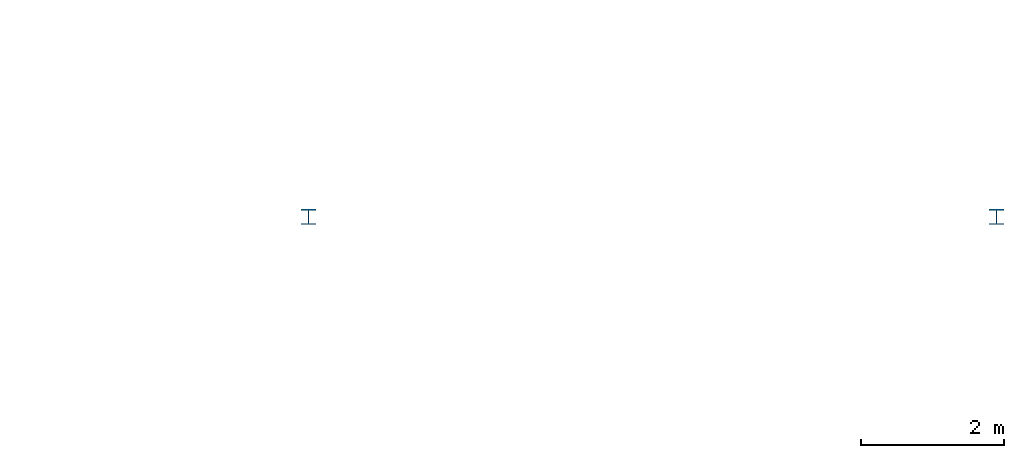
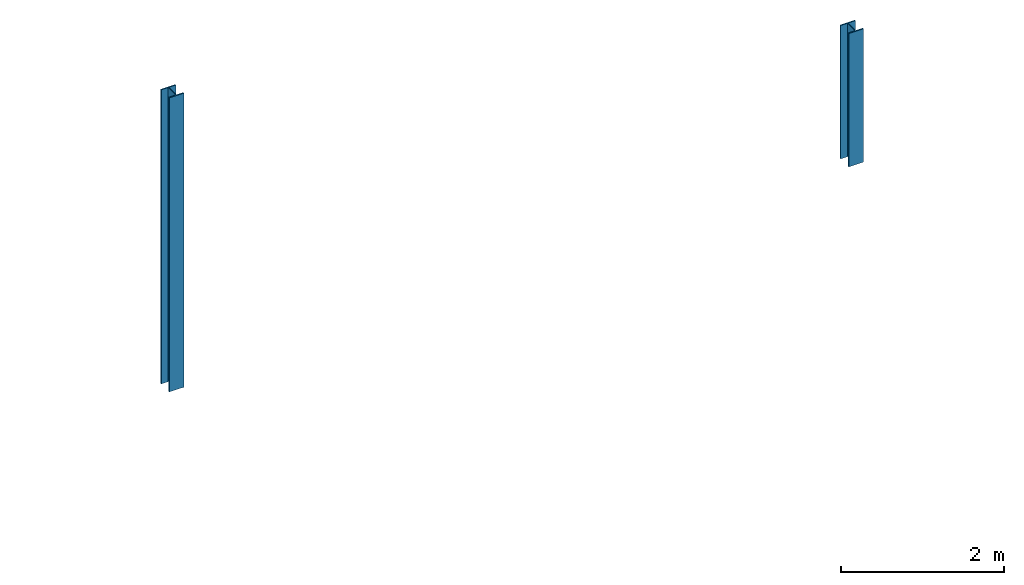
# One storey, part 12 of 59: 2 columns.
"""IFC4 building model written with IfcOpenShell, lengths in metres."""

import ifcopenshell
import ifcopenshell.guid

model = None  # the IFC model being written
_history = None  # IfcOwnerHistory: only IFC2X3 demands one
_inside = {}  # id of a spatial element -> (the spatial element, [elements in it])
_under = {}  # id of a project, library or spatial element -> (it, [spatial elements below it])
_declared = {}  # id of a project -> (the project, [libraries it declares])
_typed = {}  # id of a type object -> (the type object, [elements of that type])
_made_of = {}  # id of a material, layer set ... -> (it, [elements and type objects made of it])


def new_model(schema):
    """Start an empty IFC model of exactly this schema.

    Asked for "IFC4X3", IfcOpenShell would pick the latest addendum, in which some entities
    have other attributes; the version numbers below select the first issue.
    IFC2X3 requires an IfcOwnerHistory on every rooted entity: one is made here for all.
    """
    global model, _history
    if schema == "IFC4X3":
        model = ifcopenshell.file(schema_version=(4, 3, 0, 0))
    else:
        model = ifcopenshell.file(schema=schema)
    _inside.clear()
    _under.clear()
    _declared.clear()
    _typed.clear()
    _made_of.clear()
    _history = None
    if model.schema == "IFC2X3":
        org = make("IfcOrganization", Name="unknown")
        user = make(
            "IfcPersonAndOrganization",
            ThePerson=make("IfcPerson", FamilyName="unknown"),
            TheOrganization=org,
        )
        app = make(
            "IfcApplication",
            ApplicationDeveloper=org,
            Version="unknown",
            ApplicationFullName="unknown",
            ApplicationIdentifier="unknown",
        )
        _history = make(
            "IfcOwnerHistory",
            OwningUser=user,
            OwningApplication=app,
            ChangeAction="ADDED",
            CreationDate=0,
        )
    return model


def make(cls, **values):
    """One entity of the class cls with the attributes given. An attribute that is None is left unset."""
    return model.create_entity(
        cls, **{name: value for name, value in values.items() if value is not None}
    )


def rooted(cls, **values):
    """An entity with a GlobalId (a new one), such as an element, a storey or a relation."""
    return make(cls, GlobalId=ifcopenshell.guid.new(), OwnerHistory=_history, **values)


def si_unit(unit_type, name, prefix=None):
    """IfcSIUnit, for example si_unit("LENGTHUNIT", "METRE", prefix="MILLI")."""
    return make("IfcSIUnit", UnitType=unit_type, Prefix=prefix, Name=name)


def assignment(units):
    """IfcUnitAssignment: the units of a project."""
    return None if units is None else make("IfcUnitAssignment", Units=units)


def point(xyz):
    """IfcCartesianPoint."""
    return None if xyz is None else make("IfcCartesianPoint", Coordinates=xyz)


def direction(xyz):
    """IfcDirection."""
    return None if xyz is None else make("IfcDirection", DirectionRatios=xyz)


def frame(location, z_axis=None, x_axis=None):
    """IfcAxis2Placement3D, a coordinate frame: its origin and axes. An axis left out is left unset."""
    return make(
        "IfcAxis2Placement3D",
        Location=point(location),
        Axis=direction(z_axis),
        RefDirection=direction(x_axis),
    )


def frame_2d(location, x_axis=None):
    """IfcAxis2Placement2D, a coordinate frame in the plane: its origin and x axis."""
    return make(
        "IfcAxis2Placement2D", Location=point(location), RefDirection=direction(x_axis)
    )


def origin():
    """The frame at (0, 0, 0) with its axes left unset."""
    return frame((0.0, 0.0, 0.0))


def origin_2d():
    """The frame at (0, 0) in the plane with its x axis left unset."""
    return frame_2d((0.0, 0.0))


def place(relative_to, where):
    """IfcLocalPlacement: puts the frame where relative to a parent placement (None: the world)."""
    return make(
        "IfcLocalPlacement", PlacementRelTo=relative_to, RelativePlacement=where
    )


def context(
    kind, dimensions, precision=None, world=None, true_north=None, identifier=None
):
    """IfcGeometricRepresentationContext, for example the 3D "Model" context."""
    return make(
        "IfcGeometricRepresentationContext",
        ContextIdentifier=identifier,
        ContextType=kind,
        CoordinateSpaceDimension=dimensions,
        Precision=precision,
        WorldCoordinateSystem=world,
        TrueNorth=true_north,
    )


def subcontext(parent, identifier, kind, view, scale=None):
    """IfcGeometricRepresentationSubContext, for example "Body" below "Model"."""
    return make(
        "IfcGeometricRepresentationSubContext",
        ContextIdentifier=identifier,
        ContextType=kind,
        ParentContext=parent,
        TargetScale=scale,
        TargetView=view,
    )


def project(units=None, contexts=None):
    """IfcProject with its units and contexts."""
    return rooted(
        "IfcProject",
        Name="project",
        RepresentationContexts=contexts,
        UnitsInContext=assignment(units),
    )


def spatial(cls, under=None, at=None, **own):
    """A site, building, storey or space (cls), placed at a placement, below another one or the project."""
    s = rooted(cls, ObjectPlacement=at, **own)
    if under is not None:
        _under.setdefault(under.id(), (under, []))[1].append(s)
    return s


def profile(cls, at=None, kind="AREA", **sizes):
    """A parametric profile (cls). Its sizes go by their IFC names, for example OverallWidth=200.0."""
    return make(cls, ProfileType=kind, Position=at, **sizes)


def i_section(**sizes):
    """IfcIShapeProfileDef."""
    return profile("IfcIShapeProfileDef", **sizes)


def extrude(swept, where, along, depth):
    """IfcExtrudedAreaSolid: the profile swept, set in the frame where, extruded along a direction by depth."""
    return make(
        "IfcExtrudedAreaSolid",
        SweptArea=swept,
        Position=where,
        ExtrudedDirection=direction(along),
        Depth=depth,
    )


def shape(context_of_items, identifier, shape_type, items):
    """IfcShapeRepresentation: the items that make up one representation, for example the "Body"."""
    return make(
        "IfcShapeRepresentation",
        ContextOfItems=context_of_items,
        RepresentationIdentifier=identifier,
        RepresentationType=shape_type,
        Items=items,
    )


def material(Name=None, Category=None):
    """IfcMaterial."""
    return make("IfcMaterial", Name=Name, Category=Category)


def material_profile(
    of_material, cross_section, Name=None, Category=None, Priority=None
):
    """IfcMaterialProfile: a cross section and its material."""
    return make(
        "IfcMaterialProfile",
        Name=Name,
        Material=of_material,
        Profile=cross_section,
        Priority=Priority,
        Category=Category,
    )


def profile_set(profiles, Name=None, composite=None):
    """IfcMaterialProfileSet."""
    return make(
        "IfcMaterialProfileSet",
        Name=Name,
        MaterialProfiles=profiles,
        CompositeProfile=composite,
    )


def made_of(thing, what):
    """Note that an element or type object is made of a material, layer set ...; save() writes the relation."""
    if what is not None:
        _made_of.setdefault(what.id(), (what, []))[1].append(thing)
    return thing


def type_object(cls, material=None, **own):
    """A type object (cls), such as IfcWallType, which elements share."""
    return made_of(rooted(cls, **own), material)


def element(
    cls,
    number,
    at=None,
    inside=None,
    cuts=None,
    type_object=None,
    material=None,
    context=None,
    identifier="Body",
    shape_type=None,
    held_by="IfcProductDefinitionShape",
    body=None,
    shapes=None,
    **own,
):
    """One element of the class cls, such as IfcWall. Its Tag is "e" and its number.

    at: its placement. inside: the storey or other place that contains it. cuts: it is an
    opening in that element (IfcRelVoidsElement). A single representation is given by context,
    identifier, shape_type and body (its items); several are given by shapes. held_by: the class
    of the entity that holds the representations. save() writes the other relations.
    """
    e = rooted(cls, Tag="e%d" % number, ObjectPlacement=at, **own)
    if body is not None:
        shapes = [shape(context, identifier, shape_type, body)]
    if shapes is not None:
        e.Representation = make(held_by, Representations=shapes)
    if inside is not None:
        _inside.setdefault(inside.id(), (inside, []))[1].append(e)
    if cuts is not None:
        rooted(
            "IfcRelVoidsElement", RelatingBuildingElement=cuts, RelatedOpeningElement=e
        )
    if type_object is not None:
        _typed.setdefault(type_object.id(), (type_object, []))[1].append(e)
    return made_of(e, material)


def aggregate(whole, parts):
    """IfcRelAggregates: a whole, such as a stair, and the parts it consists of."""
    return rooted("IfcRelAggregates", RelatingObject=whole, RelatedObjects=parts)


def save(model, path):
    """Write the relations noted so far, then the file.

    IfcRelAggregates (storeys below a building ...), IfcRelContainedInSpatialStructure (elements
    in a storey), IfcRelDefinesByType, IfcRelAssociatesMaterial and IfcRelDeclares: one each for
    every whole, place, type object, material and project.
    """
    for whole, parts in _under.values():
        aggregate(whole, parts)
    for where, things in _inside.values():
        rooted(
            "IfcRelContainedInSpatialStructure",
            RelatedElements=things,
            RelatingStructure=where,
        )
    for kind, things in _typed.values():
        rooted("IfcRelDefinesByType", RelatedObjects=things, RelatingType=kind)
    for what, things in _made_of.values():
        rooted("IfcRelAssociatesMaterial", RelatedObjects=things, RelatingMaterial=what)
    for by, libraries in _declared.values():
        rooted("IfcRelDeclares", RelatingContext=by, RelatedDefinitions=libraries)
    model.write(path)


model = new_model("IFC4")

# Units and contexts
model_context = context("Model", 3, precision=1e-05, world=origin(), true_north=direction((0.0, 1.0)))
body_context = subcontext(model_context, "Body", "Model", "MODEL_VIEW")
ifc_project = project(units=[si_unit("LENGTHUNIT", "METRE"), si_unit("AREAUNIT", "SQUARE_METRE"), si_unit("VOLUMEUNIT", "CUBIC_METRE"), si_unit("PLANEANGLEUNIT", "RADIAN"), si_unit("MASSUNIT", "GRAM", prefix="KILO")], contexts=[model_context])

# Site, building, storey
site_placement = place(None, origin())
site = spatial("IfcSite", under=ifc_project, at=site_placement, CompositionType="ELEMENT")
building_placement = place(site_placement, origin())
building = spatial("IfcBuilding", under=site, at=building_placement, Name="Dunescarp Central Library", CompositionType="ELEMENT")
storey_placement = place(building_placement, frame((0.0, 0.0, 18.60009765625)))
storey = spatial("IfcBuildingStorey", under=building, at=storey_placement, Name="L04", CompositionType="ELEMENT", Elevation=18.60009765625)

# Columns
ifc_material = material(Name="Steel S355JR", Category="steel")
ifc_material_profile = material_profile(ifc_material, i_section(OverallWidth=0.206298828125, OverallDepth=0.2158203125, WebThickness=0.010009765625, FlangeThickness=0.017333984375, at=origin_2d()), Name="UC 203x203x71")
ifc_profile_set = profile_set([ifc_material_profile], Name="Steel S355JR")
column_type = type_object("IfcColumnType", Name="STR-COL-UC203X71", PredefinedType="COLUMN", material=ifc_profile_set)
column_1_placement = place(storey_placement, frame((129.60009765625, 44.800048828125, 0.0), z_axis=(0.0, 0.0, 1.0), x_axis=(1.0, 0.0, 0.0)))
element("IfcColumn", 1, at=column_1_placement, inside=storey, type_object=column_type, Name="L04 column V5-1296-448", PredefinedType="COLUMN", context=body_context, shape_type="SweptSolid", body=[
    extrude(i_section(OverallWidth=0.206298828125, OverallDepth=0.2158203125, WebThickness=0.010009765625, FlangeThickness=0.017333984375, at=origin_2d()), origin(), (0.0, 0.0, 1.0), 4.392822265625),
])
column_2_placement = place(storey_placement, frame((139.199951171875, 44.800048828125, 0.0), z_axis=(0.0, 0.0, 1.0), x_axis=(1.0, 0.0, 0.0)))
element("IfcColumn", 2, at=column_2_placement, inside=storey, type_object=column_type, Name="L04 column V5-1392-448", PredefinedType="COLUMN", context=body_context, shape_type="SweptSolid", body=[
    extrude(i_section(OverallWidth=0.206298828125, OverallDepth=0.2158203125, WebThickness=0.010009765625, FlangeThickness=0.017333984375, at=origin_2d()), origin(), (0.0, 0.0, 1.0), 1.992919921875),
])

save(model, "model.ifc")
